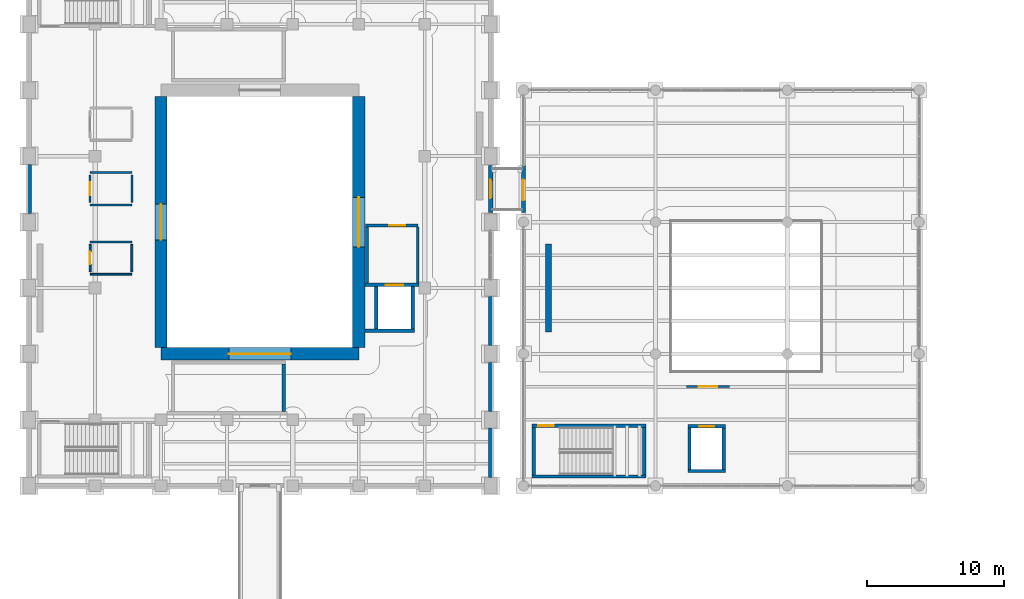
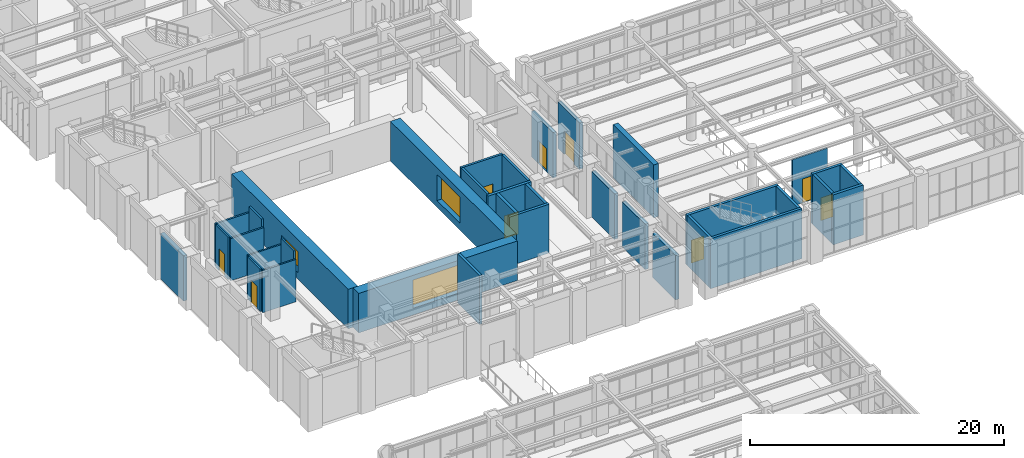
# One storey, part 141 of 174: 35 walls, 9 doors, 3 windows, 12 openings.
"""IFC4 building model written with IfcOpenShell, lengths in metres."""

from ifc_helpers import new_model, si_unit, direction, frame, frame_2d, origin, place, context, subcontext, project, spatial, rectangle, extrude, material, layer, layer_set, type_object, element, fill, save


model = new_model("IFC4")

# Units and contexts
model_context = context("Model", 3, precision=1e-05, world=origin(), true_north=direction((0.0, 1.0)))
body_context = subcontext(model_context, "Body", "Model", "MODEL_VIEW")
ifc_project = project(units=[si_unit("LENGTHUNIT", "METRE"), si_unit("AREAUNIT", "SQUARE_METRE"), si_unit("VOLUMEUNIT", "CUBIC_METRE"), si_unit("PLANEANGLEUNIT", "RADIAN"), si_unit("MASSUNIT", "GRAM", prefix="KILO")], contexts=[model_context])

# Site, building, storey
site_placement = place(None, origin())
site = spatial("IfcSite", under=ifc_project, at=site_placement, CompositionType="ELEMENT")
building_placement = place(site_placement, origin())
building = spatial("IfcBuilding", under=site, at=building_placement, Name="Mavantir Sound Aquarium", CompositionType="ELEMENT")
storey_placement = place(building_placement, frame((0.0, 0.0, 5.39990234375)))
storey = spatial("IfcBuildingStorey", under=building, at=storey_placement, Name="L01", CompositionType="ELEMENT", Elevation=5.39990234375)

# Wall, opening, door
ifc_material_1 = material(Name="Coral-Buff Architectural Precast Concrete C40/50", Category="concrete")
ifc_layer_1 = layer(ifc_material_1, 0.31005859375, Name="Coral-Buff Architectural Precast Concrete C40/50")
ifc_layer_set_1 = layer_set([ifc_layer_1], Name="Coral-Buff Architectural Precast Concrete C40/50")
wall_type_1 = type_object("IfcWallType", Name="EW-CORAL-310", PredefinedType="SOLIDWALL", material=ifc_layer_set_1)
wall_1_placement = place(storey_placement, frame((33.60009765625, 60.699951171875, 0.0), z_axis=(0.0, 0.0, 1.0), x_axis=(0.0, 1.0, 0.0)))
wall_1 = element("IfcWall", 1, at=wall_1_placement, inside=storey, type_object=wall_type_1, Name="L01 bridge portal wall 1", PredefinedType="SOLIDWALL", context=body_context, shape_type="SweptSolid", body=[
    extrude(rectangle(XDim=3.400146484375, YDim=0.31005859375, at=frame_2d((1.7001953125, 0.0))), origin(), (0.0, 0.0, 1.0), 4.358154296875),
])
opening_1_placement = place(wall_1_placement, frame((2.3701171875, 0.0, 0.0), z_axis=(0.0, 0.0, 1.0), x_axis=(-1.0, 0.0, 0.0)))
opening_1 = element("IfcOpeningElement", 2, at=opening_1_placement, cuts=wall_1, Name="Opening ETD-02", PredefinedType="OPENING", context=body_context, shape_type="SweptSolid", body=[
    extrude(rectangle(XDim=1.35009765625, YDim=2.199951171875, at=frame_2d((0.675048828125, 1.10009765625))), frame((0.0, 0.1650390625, 0.0), z_axis=(0.0, -1.0, 0.0), x_axis=(1.0, 0.0, 0.0)), (0.0, 0.0, 1.0), 0.330078125),
])
ifc_material_2 = material(Name="Marine-Grade Anodised Aluminium and Laminated Glass", Category="aluminium")
door_type_1 = type_object("IfcDoorType", Name="DR-TER-135", OperationType="NOTDEFINED", PredefinedType="DOOR", material=ifc_material_2)
door_1_placement = place(opening_1_placement, origin())
door_1 = element("IfcDoor", 3, at=door_1_placement, inside=storey, type_object=door_type_1, Name="L01 bridge access door 1", OperationType="SINGLE_SWING_RIGHT", OverallHeight=2.199951171875, OverallWidth=1.35009765625, PredefinedType="DOOR", context=body_context, shape_type="SweptSolid", body=[
    extrude(rectangle(XDim=1.35009765625, YDim=2.199951171875, at=frame_2d((0.675048828125, 1.10009765625))), frame((0.0, 0.02490234375, 0.0), z_axis=(0.0, -1.0, 0.0), x_axis=(1.0, 0.0, 0.0)), (0.0, 0.0, 1.0), 0.050048828125),
])
fill(opening_1, door_1)

wall_2_placement = place(storey_placement, frame((36.0, 64.10009765625, 0.0), z_axis=(0.0, 0.0, 1.0), x_axis=(0.0, -1.0, 0.0)))
wall_2 = element("IfcWall", 4, at=wall_2_placement, inside=storey, type_object=wall_type_1, Name="L01 bridge portal wall 2", PredefinedType="SOLIDWALL", context=body_context, shape_type="SweptSolid", body=[
    extrude(rectangle(XDim=3.400146484375, YDim=0.31005859375, at=frame_2d((1.7001953125, 0.0))), origin(), (0.0, 0.0, 1.0), 4.43798828125),
])
opening_2_placement = place(wall_2_placement, frame((2.52001953125, 0.0, 0.0), z_axis=(0.0, 0.0, 1.0), x_axis=(-1.0, 0.0, 0.0)))
opening_2 = element("IfcOpeningElement", 5, at=opening_2_placement, cuts=wall_2, Name="Opening ETD-01", PredefinedType="OPENING", context=body_context, shape_type="SweptSolid", body=[
    extrude(rectangle(XDim=1.5, YDim=2.25, at=frame_2d((0.75, 1.125))), frame((0.0, 0.1650390625, 0.0), z_axis=(0.0, -1.0, 0.0), x_axis=(1.0, 0.0, 0.0)), (0.0, 0.0, 1.0), 0.330078125),
])
door_type_2 = type_object("IfcDoorType", Name="DR-TER-150", OperationType="NOTDEFINED", PredefinedType="DOOR", material=ifc_material_2)
door_2_placement = place(opening_2_placement, origin())
door_2 = element("IfcDoor", 6, at=door_2_placement, inside=storey, type_object=door_type_2, Name="L01 bridge access door 2", OperationType="SINGLE_SWING_LEFT", OverallHeight=2.25, OverallWidth=1.5, PredefinedType="DOOR", context=body_context, shape_type="SweptSolid", body=[
    extrude(rectangle(XDim=1.5, YDim=2.25, at=frame_2d((0.75, 1.125))), frame((0.0, 0.02490234375, 0.0), z_axis=(0.0, -1.0, 0.0), x_axis=(1.0, 0.0, 0.0)), (0.0, 0.0, 1.0), 0.050048828125),
])
fill(opening_2, door_2)

# Walls
ifc_layer_2 = layer(ifc_material_1, 0.340087890625, Name="Coral-Buff Architectural Precast Concrete C40/50")
ifc_layer_set_2 = layer_set([ifc_layer_2], Name="Coral-Buff Architectural Precast Concrete C40/50")
wall_type_2 = type_object("IfcWallType", Name="EW-CORAL-340", PredefinedType="SOLIDWALL", material=ifc_layer_set_2)
wall_3_placement = place(storey_placement, frame((33.60009765625, 41.407958984375, 0.0), z_axis=(0.0, 0.0, 1.0), x_axis=(0.0, 1.0, 0.0)))
element("IfcWall", 7, at=wall_3_placement, inside=storey, type_object=wall_type_2, Name="L01 exterior facade wall EW-01 138", PredefinedType="SOLIDWALL", context=body_context, shape_type="SweptSolid", body=[
    extrude(rectangle(XDim=3.583984375, YDim=0.340087890625, at=frame_2d((1.7919921875, 0.0))), origin(), (0.0, 0.0, 1.0), 4.2490234375),
])
for number, where, z_axis, x_axis, name in (
    (8, (33.60009765625, 46.2080078125, 0.0), (0.0, 0.0, 1.0), (0.0, 1.0, 0.0), "L01 exterior facade wall EW-01 139"),
    (9, (33.60009765625, 51.008056640625, 0.0), (0.0, 0.0, 1.0), (0.0, 1.0, 0.0), "L01 exterior facade wall EW-01 140"),
    (10, (0.0, 64.19189453125, 0.0), (0.0, 0.0, 1.0), (0.0, -1.0, 0.0), "L01 exterior facade wall EW-01 155"),
):
    element("IfcWall", number, at=place(storey_placement, frame(where, z_axis=z_axis, x_axis=x_axis)), inside=storey, type_object=wall_type_2, Name=name, PredefinedType="SOLIDWALL", context=body_context, shape_type="SweptSolid", body=[
        extrude(rectangle(XDim=3.583984375, YDim=0.340087890625, at=frame_2d((1.7919921875, 0.0))), origin(), (0.0, 0.0, 1.0), 4.358154296875),
    ])

# Wall, opening, door
ifc_material_3 = material(Name="Concrete C40/50", Category="concrete")
ifc_layer_3 = layer(ifc_material_3, 0.199951171875, Name="Concrete C40/50")
ifc_layer_set_3 = layer_set([ifc_layer_3], Name="Concrete C40/50")
wall_type_3 = type_object("IfcWallType", Name="IW-FFL-200", PredefinedType="PARTITIONING", material=ifc_layer_set_3)
wall_4_placement = place(storey_placement, frame((24.5, 59.75, 0.0), z_axis=(0.0, 0.0, 1.0), x_axis=(1.0, 0.0, 0.0)))
wall_4 = element("IfcWall", 11, at=wall_4_placement, inside=storey, type_object=wall_type_3, Name="L01 firefighting lift lobby LC1 wall N", PredefinedType="PARTITIONING", context=body_context, shape_type="SweptSolid", body=[
    extrude(rectangle(XDim=3.800048828125, YDim=0.199951171875, at=frame_2d((1.89990234375, 0.0))), origin(), (0.0, 0.0, 1.0), 4.739990234375),
])
opening_3_placement = place(wall_4_placement, frame((1.699951171875, 0.0, 0.0)))
opening_3 = element("IfcOpeningElement", 12, at=opening_3_placement, cuts=wall_4, Name="Opening FD-01", PredefinedType="OPENING", context=body_context, shape_type="SweptSolid", body=[
    extrude(rectangle(XDim=1.199951171875, YDim=2.199951171875, at=frame_2d((0.60009765625, 1.10009765625))), frame((0.0, 0.10986328125, 0.0), z_axis=(0.0, -1.0, 0.0), x_axis=(1.0, 0.0, 0.0)), (0.0, 0.0, 1.0), 0.219970703125),
])
ifc_material_4 = material(Name="Fire-Rated Steel Lobby Door Leaf", Category="steel")
door_type_3 = type_object("IfcDoorType", Name="DR-FFL-120", OperationType="NOTDEFINED", PredefinedType="DOOR", material=ifc_material_4)
door_3_placement = place(opening_3_placement, origin())
door_3 = element("IfcDoor", 13, at=door_3_placement, inside=storey, type_object=door_type_3, Name="L01 firefighting lobby LC1 accommodation door", OperationType="SINGLE_SWING_RIGHT", OverallHeight=2.199951171875, OverallWidth=1.199951171875, PredefinedType="DOOR", context=body_context, shape_type="SweptSolid", body=[
    extrude(rectangle(XDim=1.199951171875, YDim=2.199951171875, at=frame_2d((0.60009765625, 1.10009765625))), frame((0.0, 0.02490234375, 0.0), z_axis=(0.0, -1.0, 0.0), x_axis=(1.0, 0.0, 0.0)), (0.0, 0.0, 1.0), 0.050048828125),
])
fill(opening_3, door_3)

# Walls
for number, where, z_axis, x_axis, name in (
    (14, (24.60009765625, 55.550048828125, 0.0), (0.0, 0.0, 1.0), (0.0, 1.0, 0.0), "L01 firefighting lift lobby LC1 wall W"),
    (15, (28.300048828125, 55.550048828125, 0.0), (0.0, 0.0, 1.0), (0.0, 1.0, 0.0), "L01 firefighting lift lobby LC1 wall E"),
):
    element("IfcWall", number, at=place(storey_placement, frame(where, z_axis=z_axis, x_axis=x_axis)), inside=storey, type_object=wall_type_3, Name=name, PredefinedType="PARTITIONING", context=body_context, shape_type="SweptSolid", body=[
        extrude(rectangle(XDim=4.099853515625, YDim=0.199951171875, at=frame_2d((2.0498046875, 0.0))), origin(), (0.0, 0.0, 1.0), 4.739990234375),
    ])
ifc_material_5 = material(Name="Moisture-Resistant Marine Gypsum Partition", Category="gypsum")
ifc_layer_4 = layer(ifc_material_5, 0.139892578125, Name="Moisture-Resistant Marine Gypsum Partition")
ifc_layer_set_4 = layer_set([ifc_layer_4], Name="Moisture-Resistant Marine Gypsum Partition")
wall_type_4 = type_object("IfcWallType", Name="IW-PART-140", PredefinedType="PARTITIONING", material=ifc_layer_set_4)
for number, where, z_axis, x_axis, name in (
    (16, (4.43994140625, 58.550048828125, 0.0), (0.0, 0.0, 1.0), (1.0, 0.0, 0.0), "L01 L01 Mens WC partition N"),
    (17, (4.43994140625, 56.199951171875, 0.0), (0.0, 0.0, 1.0), (1.0, 0.0, 0.0), "L01 L01 Mens WC partition S"),
):
    element("IfcWall", number, at=place(storey_placement, frame(where, z_axis=z_axis, x_axis=x_axis)), inside=storey, type_object=wall_type_4, Name=name, PredefinedType="PARTITIONING", context=body_context, shape_type="SweptSolid", body=[
        extrude(rectangle(XDim=3.0400390625, YDim=0.139892578125, at=frame_2d((1.52001953125, 0.0))), origin(), (0.0, 0.0, 1.0), 4.05517578125),
    ])

# Wall, opening, door
wall_5_placement = place(storey_placement, frame((4.43994140625, 56.3798828125, 0.0), z_axis=(0.0, 0.0, 1.0), x_axis=(0.0, 1.0, 0.0)))
wall_5 = element("IfcWall", 18, at=wall_5_placement, inside=storey, type_object=wall_type_4, Name="L01 L01 Mens WC partition W", PredefinedType="PARTITIONING", context=body_context, shape_type="SweptSolid", body=[
    extrude(rectangle(XDim=1.990234375, YDim=0.139892578125, at=frame_2d((0.9951171875, 0.0))), origin(), (0.0, 0.0, 1.0), 4.05517578125),
])
opening_4_placement = place(wall_5_placement, frame((0.534912109375, 0.0, 0.0)))
opening_4 = element("IfcOpeningElement", 19, at=opening_4_placement, cuts=wall_5, Name="Opening ID-01", PredefinedType="OPENING", context=body_context, shape_type="SweptSolid", body=[
    extrude(rectangle(XDim=0.919921875, YDim=2.1201171875, at=frame_2d((0.4599609375, 1.06005859375))), frame((0.0, 0.080078125, 0.0), z_axis=(0.0, -1.0, 0.0), x_axis=(1.0, 0.0, 0.0)), (0.0, 0.0, 1.0), 0.159912109375),
])
ifc_material_6 = material(Name="Solid-Core Marine Hardwood and Vision-Panel Door", Category="wood")
door_type_4 = type_object("IfcDoorType", Name="DR-INT-01", OperationType="NOTDEFINED", PredefinedType="DOOR", material=ifc_material_6)
door_4_placement = place(opening_4_placement, origin())
door_4 = element("IfcDoor", 20, at=door_4_placement, inside=storey, type_object=door_type_4, Name="L01 Mens WC entrance door", OperationType="SINGLE_SWING_RIGHT", OverallHeight=2.1201171875, OverallWidth=0.919921875, PredefinedType="DOOR", context=body_context, shape_type="SweptSolid", body=[
    extrude(rectangle(XDim=0.919921875, YDim=2.1201171875, at=frame_2d((0.4599609375, 1.06005859375))), frame((0.0, 0.02490234375, 0.0), z_axis=(0.0, -1.0, 0.0), x_axis=(1.0, 0.0, 0.0)), (0.0, 0.0, 1.0), 0.050048828125),
])
fill(opening_4, door_4)

# Wall
wall_6_placement = place(storey_placement, frame((7.47998046875, 56.3798828125, 0.0), z_axis=(0.0, 0.0, 1.0), x_axis=(0.0, 1.0, 0.0)))
element("IfcWall", 21, at=wall_6_placement, inside=storey, type_object=wall_type_4, Name="L01 L01 Mens WC partition E", PredefinedType="PARTITIONING", context=body_context, shape_type="SweptSolid", body=[
    extrude(rectangle(XDim=1.990234375, YDim=0.139892578125, at=frame_2d((0.9951171875, 0.0))), origin(), (0.0, 0.0, 1.0), 4.739990234375),
])

# Wall, opening, door
wall_7_placement = place(storey_placement, frame((47.85009765625, 48.02490234375, 0.0), z_axis=(0.0, 0.0, 1.0), x_axis=(1.0, 0.0, 0.0)))
wall_7 = element("IfcWall", 22, at=wall_7_placement, inside=storey, type_object=wall_type_4, Name="L01 Pelagic Viewing Tunnel Upper Canyon Overlook entry partition", PredefinedType="PARTITIONING", context=body_context, shape_type="SweptSolid", body=[
    extrude(rectangle(XDim=3.14990234375, YDim=0.139892578125, at=frame_2d((1.574951171875, 0.0))), origin(), (0.0, 0.0, 1.0), 4.4560546875),
])
opening_5_placement = place(wall_7_placement, frame((0.905029296875, 0.0, 0.0)))
opening_5 = element("IfcOpeningElement", 23, at=opening_5_placement, cuts=wall_7, Name="Opening ID-11", PredefinedType="OPENING", context=body_context, shape_type="SweptSolid", body=[
    extrude(rectangle(XDim=1.340087890625, YDim=2.280029296875, at=frame_2d((0.669921875, 1.14013671875))), frame((0.0, 0.080078125, 0.0), z_axis=(0.0, -1.0, 0.0), x_axis=(1.0, 0.0, 0.0)), (0.0, 0.0, 1.0), 0.159912109375),
])
door_type_5 = type_object("IfcDoorType", Name="DR-INT-11", OperationType="NOTDEFINED", PredefinedType="DOOR", material=ifc_material_6)
door_5_placement = place(opening_5_placement, origin())
door_5 = element("IfcDoor", 24, at=door_5_placement, inside=storey, type_object=door_type_5, Name="Pelagic Viewing Tunnel Upper Canyon Overlook door", OperationType="SINGLE_SWING_LEFT", OverallHeight=2.280029296875, OverallWidth=1.340087890625, PredefinedType="DOOR", context=body_context, shape_type="SweptSolid", body=[
    extrude(rectangle(XDim=1.340087890625, YDim=2.280029296875, at=frame_2d((0.669921875, 1.14013671875))), frame((0.0, 0.02490234375, 0.0), z_axis=(0.0, -1.0, 0.0), x_axis=(1.0, 0.0, 0.0)), (0.0, 0.0, 1.0), 0.050048828125),
])
fill(opening_5, door_5)

# Walls
ifc_material_7 = material(Name="Acoustic Metal-Stud Gypsum Partition", Category="gypsum")
ifc_layer_5 = layer(ifc_material_7, 0.159912109375, Name="Acoustic Metal-Stud Gypsum Partition")
ifc_layer_set_5 = layer_set([ifc_layer_5], Name="Acoustic Metal-Stud Gypsum Partition")
wall_type_5 = type_object("IfcWallType", Name="IW-PART-160", PredefinedType="PARTITIONING", material=ifc_layer_set_5)
for number, where, z_axis, x_axis, name in (
    (25, (4.43994140625, 63.60009765625, 0.0), (0.0, 0.0, 1.0), (1.0, 0.0, 0.0), "L01 L01 Womens WC partition N"),
    (26, (4.43994140625, 61.25, 0.0), (0.0, 0.0, 1.0), (1.0, 0.0, 0.0), "L01 L01 Womens WC partition S"),
):
    element("IfcWall", number, at=place(storey_placement, frame(where, z_axis=z_axis, x_axis=x_axis)), inside=storey, type_object=wall_type_5, Name=name, PredefinedType="PARTITIONING", context=body_context, shape_type="SweptSolid", body=[
        extrude(rectangle(XDim=3.0400390625, YDim=0.159912109375, at=frame_2d((1.52001953125, 0.0))), origin(), (0.0, 0.0, 1.0), 4.05517578125),
    ])

# Wall, opening, door
wall_8_placement = place(storey_placement, frame((4.43994140625, 61.429931640625, 0.0), z_axis=(0.0, 0.0, 1.0), x_axis=(0.0, 1.0, 0.0)))
wall_8 = element("IfcWall", 27, at=wall_8_placement, inside=storey, type_object=wall_type_5, Name="L01 L01 Womens WC partition W", PredefinedType="PARTITIONING", context=body_context, shape_type="SweptSolid", body=[
    extrude(rectangle(XDim=1.989990234375, YDim=0.159912109375, at=frame_2d((0.9951171875, 0.0))), origin(), (0.0, 0.0, 1.0), 4.05517578125),
])
opening_6_placement = place(wall_8_placement, frame((0.534912109375, 0.0, 0.0)))
opening_6 = element("IfcOpeningElement", 28, at=opening_6_placement, cuts=wall_8, Name="Opening ID-01", PredefinedType="OPENING", context=body_context, shape_type="SweptSolid", body=[
    extrude(rectangle(XDim=0.919921875, YDim=2.1201171875, at=frame_2d((0.4599609375, 1.06005859375))), frame((0.0, 0.08984375, 0.0), z_axis=(0.0, -1.0, 0.0), x_axis=(1.0, 0.0, 0.0)), (0.0, 0.0, 1.0), 0.179931640625),
])
door_6_placement = place(opening_6_placement, origin())
door_6 = element("IfcDoor", 29, at=door_6_placement, inside=storey, type_object=door_type_4, Name="L01 Womens WC entrance door", OperationType="SINGLE_SWING_LEFT", OverallHeight=2.1201171875, OverallWidth=0.919921875, PredefinedType="DOOR", context=body_context, shape_type="SweptSolid", body=[
    extrude(rectangle(XDim=0.919921875, YDim=2.1201171875, at=frame_2d((0.4599609375, 1.06005859375))), frame((0.0, 0.02490234375, 0.0), z_axis=(0.0, -1.0, 0.0), x_axis=(1.0, 0.0, 0.0)), (0.0, 0.0, 1.0), 0.050048828125),
])
fill(opening_6, door_6)

# Walls
wall_9_placement = place(storey_placement, frame((7.47998046875, 61.429931640625, 0.0), z_axis=(0.0, 0.0, 1.0), x_axis=(0.0, 1.0, 0.0)))
element("IfcWall", 30, at=wall_9_placement, inside=storey, type_object=wall_type_5, Name="L01 L01 Womens WC partition E", PredefinedType="PARTITIONING", context=body_context, shape_type="SweptSolid", body=[
    extrude(rectangle(XDim=1.989990234375, YDim=0.159912109375, at=frame_2d((0.9951171875, 0.0))), origin(), (0.0, 0.0, 1.0), 4.739990234375),
])
ifc_layer_6 = layer(ifc_material_3, 0.25, Name="Concrete C40/50")
ifc_layer_set_6 = layer_set([ifc_layer_6], Name="Concrete C40/50")
wall_type_6 = type_object("IfcWallType", Name="IW-SHAFT-250", PredefinedType="SHEAR", material=ifc_layer_set_6)
wall_10_placement = place(storey_placement, frame((18.52490234375, 46.199951171875, 0.0), z_axis=(0.0, 0.0, 1.0), x_axis=(0.0, 1.0, 0.0)))
element("IfcWall", 31, at=wall_10_placement, inside=storey, type_object=wall_type_6, Name="L01 stair ST9 shaft wall E", PredefinedType="SHEAR", context=body_context, shape_type="SweptSolid", body=[
    extrude(rectangle(XDim=3.449951171875, YDim=0.25, at=frame_2d((1.72509765625, 0.0))), origin(), (0.0, 0.0, 1.0), 4.7001953125),
])
wall_11_placement = place(storey_placement, frame((36.60009765625, 41.47509765625, 0.0), z_axis=(0.0, 0.0, 1.0), x_axis=(1.0, 0.0, 0.0)))
element("IfcWall", 32, at=wall_11_placement, inside=storey, type_object=wall_type_6, Name="L01 stair ST8 shaft wall S", PredefinedType="SHEAR", context=body_context, shape_type="SweptSolid", body=[
    extrude(rectangle(XDim=8.2998046875, YDim=0.25, at=frame_2d((4.14990234375, 0.0))), origin(), (0.0, 0.0, 1.0), 4.800048828125),
])

# Wall, opening, door
wall_12_placement = place(storey_placement, frame((44.89990234375, 45.175048828125, 0.0), z_axis=(0.0, 0.0, 1.0), x_axis=(-1.0, 0.0, 0.0)))
wall_12 = element("IfcWall", 33, at=wall_12_placement, inside=storey, type_object=wall_type_6, Name="L01 stair ST8 shaft wall N", PredefinedType="SHEAR", context=body_context, shape_type="SweptSolid", body=[
    extrude(rectangle(XDim=8.2998046875, YDim=0.25, at=frame_2d((4.14990234375, 0.0))), origin(), (0.0, 0.0, 1.0), 4.800048828125),
])
opening_7_placement = place(wall_12_placement, frame((7.849853515625, 0.0, 0.0), z_axis=(0.0, 0.0, 1.0), x_axis=(-1.0, 0.0, 0.0)))
opening_7 = element("IfcOpeningElement", 34, at=opening_7_placement, cuts=wall_12, Name="Opening SD-02", PredefinedType="OPENING", context=body_context, shape_type="SweptSolid", body=[
    extrude(rectangle(XDim=1.14990234375, YDim=2.199951171875, at=frame_2d((0.574951171875, 1.10009765625))), frame((0.0, 0.135009765625, 0.0), z_axis=(0.0, -1.0, 0.0), x_axis=(1.0, 0.0, 0.0)), (0.0, 0.0, 1.0), 0.27001953125),
])
ifc_material_8 = material(Name="Fire-Rated Steel Acoustic Door Leaf", Category="steel")
door_type_6 = type_object("IfcDoorType", Name="DR-ST-115", OperationType="NOTDEFINED", PredefinedType="DOOR", material=ifc_material_8)
door_7_placement = place(opening_7_placement, origin())
door_7 = element("IfcDoor", 35, at=door_7_placement, inside=storey, type_object=door_type_6, Name="L01 protected exit stair ST8 door", OperationType="SINGLE_SWING_RIGHT", OverallHeight=2.199951171875, OverallWidth=1.14990234375, PredefinedType="DOOR", context=body_context, shape_type="SweptSolid", body=[
    extrude(rectangle(XDim=1.14990234375, YDim=2.199951171875, at=frame_2d((0.574951171875, 1.10009765625))), frame((0.0, 0.02490234375, 0.0), z_axis=(0.0, -1.0, 0.0), x_axis=(1.0, 0.0, 0.0)), (0.0, 0.0, 1.0), 0.050048828125),
])
fill(opening_7, door_7)

# Walls
for number, where, z_axis, x_axis, name in (
    (36, (36.72509765625, 45.050048828125, 0.0), (0.0, 0.0, 1.0), (0.0, -1.0, 0.0), "L01 stair ST8 shaft wall W"),
    (37, (44.77490234375, 41.60009765625, 0.0), (0.0, 0.0, 1.0), (0.0, 1.0, 0.0), "L01 stair ST8 shaft wall E"),
):
    element("IfcWall", number, at=place(storey_placement, frame(where, z_axis=z_axis, x_axis=x_axis)), inside=storey, type_object=wall_type_6, Name=name, PredefinedType="SHEAR", context=body_context, shape_type="SweptSolid", body=[
        extrude(rectangle(XDim=3.449951171875, YDim=0.25, at=frame_2d((1.72509765625, 0.0))), origin(), (0.0, 0.0, 1.0), 4.800048828125),
    ])
wall_13_placement = place(storey_placement, frame((24.449951171875, 52.074951171875, 0.0), z_axis=(0.0, 0.0, 1.0), x_axis=(1.0, 0.0, 0.0)))
element("IfcWall", 38, at=wall_13_placement, inside=storey, type_object=wall_type_6, Name="L01 lift LC1 shaft wall S", PredefinedType="SHEAR", context=body_context, shape_type="SweptSolid", body=[
    extrude(rectangle(XDim=3.60009765625, YDim=0.25, at=frame_2d((1.800048828125, 0.0))), origin(), (0.0, 0.0, 1.0), 4.7001953125),
])

# Wall, opening, door
wall_14_placement = place(storey_placement, frame((24.449951171875, 55.425048828125, 0.0), z_axis=(0.0, 0.0, 1.0), x_axis=(1.0, 0.0, 0.0)))
wall_14 = element("IfcWall", 39, at=wall_14_placement, inside=storey, type_object=wall_type_6, Name="L01 lift LC1 shaft wall N", PredefinedType="SHEAR", context=body_context, shape_type="SweptSolid", body=[
    extrude(rectangle(XDim=3.925048828125, YDim=0.25, at=frame_2d((1.96240234375, 0.0))), origin(), (0.0, 0.0, 1.0), 4.7001953125),
])
opening_8_placement = place(wall_14_placement, frame((1.5, 0.0, 0.0)))
opening_8 = element("IfcOpeningElement", 40, at=opening_8_placement, cuts=wall_14, Name="Opening LD-01", PredefinedType="OPENING", context=body_context, shape_type="SweptSolid", body=[
    extrude(rectangle(XDim=1.300048828125, YDim=2.199951171875, at=frame_2d((0.64990234375, 1.10009765625))), frame((0.0, 0.135009765625, 0.0), z_axis=(0.0, -1.0, 0.0), x_axis=(1.0, 0.0, 0.0)), (0.0, 0.0, 1.0), 0.27001953125),
])
ifc_material_9 = material(Name="Stainless Steel 316 Sliding Lift Landing Door", Category="steel")
door_type_7 = type_object("IfcDoorType", Name="DR-LD-130", OperationType="NOTDEFINED", PredefinedType="DOOR", material=ifc_material_9)
door_8_placement = place(opening_8_placement, origin())
door_8 = element("IfcDoor", 41, at=door_8_placement, inside=storey, type_object=door_type_7, Name="Lift LC1 sliding landing door (L01)", OperationType="DOUBLE_DOOR_SLIDING", OverallHeight=2.199951171875, OverallWidth=1.300048828125, PredefinedType="DOOR", context=body_context, shape_type="SweptSolid", body=[
    extrude(rectangle(XDim=1.300048828125, YDim=2.199951171875, at=frame_2d((0.64990234375, 1.10009765625))), frame((0.0, 0.02490234375, 0.0), z_axis=(0.0, -1.0, 0.0), x_axis=(1.0, 0.0, 0.0)), (0.0, 0.0, 1.0), 0.050048828125),
])
fill(opening_8, door_8)

# Walls
for number, where, z_axis, x_axis, name in (
    (42, (25.27490234375, 52.199951171875, 0.0), (0.0, 0.0, 1.0), (0.0, 1.0, 0.0), "L01 lift LC1 shaft wall W"),
    (43, (27.925048828125, 52.199951171875, 0.0), (0.0, 0.0, 1.0), (0.0, 1.0, 0.0), "L01 lift LC1 shaft wall E"),
):
    element("IfcWall", number, at=place(storey_placement, frame(where, z_axis=z_axis, x_axis=x_axis)), inside=storey, type_object=wall_type_6, Name=name, PredefinedType="SHEAR", context=body_context, shape_type="SweptSolid", body=[
        extrude(rectangle(XDim=3.10009765625, YDim=0.25, at=frame_2d((1.550048828125, 0.0))), origin(), (0.0, 0.0, 1.0), 4.7001953125),
    ])
wall_15_placement = place(storey_placement, frame((47.949951171875, 41.875, 0.0), z_axis=(0.0, 0.0, 1.0), x_axis=(1.0, 0.0, 0.0)))
element("IfcWall", 44, at=wall_15_placement, inside=storey, type_object=wall_type_6, Name="L01 lift LC5 shaft wall S", PredefinedType="SHEAR", context=body_context, shape_type="SweptSolid", body=[
    extrude(rectangle(XDim=2.75, YDim=0.25, at=frame_2d((1.375, 0.0))), origin(), (0.0, 0.0, 1.0), 4.800048828125),
])

# Wall, opening, door
wall_16_placement = place(storey_placement, frame((47.949951171875, 45.125, 0.0), z_axis=(0.0, 0.0, 1.0), x_axis=(1.0, 0.0, 0.0)))
wall_16 = element("IfcWall", 45, at=wall_16_placement, inside=storey, type_object=wall_type_6, Name="L01 lift LC5 shaft wall N", PredefinedType="SHEAR", context=body_context, shape_type="SweptSolid", body=[
    extrude(rectangle(XDim=2.75, YDim=0.25, at=frame_2d((1.375, 0.0))), origin(), (0.0, 0.0, 1.0), 4.800048828125),
])
opening_9_placement = place(wall_16_placement, frame((0.824951171875, 0.0, 0.0)))
opening_9 = element("IfcOpeningElement", 46, at=opening_9_placement, cuts=wall_16, Name="Opening LD-02", PredefinedType="OPENING", context=body_context, shape_type="SweptSolid", body=[
    extrude(rectangle(XDim=1.10009765625, YDim=2.199951171875, at=frame_2d((0.550048828125, 1.10009765625))), frame((0.0, 0.135009765625, 0.0), z_axis=(0.0, -1.0, 0.0), x_axis=(1.0, 0.0, 0.0)), (0.0, 0.0, 1.0), 0.27001953125),
])
door_type_8 = type_object("IfcDoorType", Name="DR-LD-110", OperationType="NOTDEFINED", PredefinedType="DOOR", material=ifc_material_9)
door_9_placement = place(opening_9_placement, origin())
door_9 = element("IfcDoor", 47, at=door_9_placement, inside=storey, type_object=door_type_8, Name="Lift LC5 sliding landing door (L01)", OperationType="DOUBLE_DOOR_SLIDING", OverallHeight=2.199951171875, OverallWidth=1.10009765625, PredefinedType="DOOR", context=body_context, shape_type="SweptSolid", body=[
    extrude(rectangle(XDim=1.10009765625, YDim=2.199951171875, at=frame_2d((0.550048828125, 1.10009765625))), frame((0.0, 0.02490234375, 0.0), z_axis=(0.0, -1.0, 0.0), x_axis=(1.0, 0.0, 0.0)), (0.0, 0.0, 1.0), 0.050048828125),
])
fill(opening_9, door_9)

# Walls
for number, where, z_axis, x_axis, name in (
    (48, (48.074951171875, 42.0, 0.0), (0.0, 0.0, 1.0), (0.0, 1.0, 0.0), "L01 lift LC5 shaft wall W"),
    (49, (50.574951171875, 42.0, 0.0), (0.0, 0.0, 1.0), (0.0, 1.0, 0.0), "L01 lift LC5 shaft wall E"),
):
    element("IfcWall", number, at=place(storey_placement, frame(where, z_axis=z_axis, x_axis=x_axis)), inside=storey, type_object=wall_type_6, Name=name, PredefinedType="SHEAR", context=body_context, shape_type="SweptSolid", body=[
        extrude(rectangle(XDim=3.0, YDim=0.25, at=frame_2d((1.5, 0.0))), origin(), (0.0, 0.0, 1.0), 4.800048828125),
    ])
ifc_layer_7 = layer(ifc_material_3, 0.449951171875, Name="Concrete C40/50")
ifc_layer_set_7 = layer_set([ifc_layer_7], Name="Concrete C40/50")
wall_type_7 = type_object("IfcWallType", Name="SW-SHR-450", PredefinedType="SHEAR", material=ifc_layer_set_7)
wall_17_placement = place(storey_placement, frame((37.800048828125, 52.0, 0.0), z_axis=(0.0, 0.0, 1.0), x_axis=(0.0, 1.0, 0.0)))
element("IfcWall", 50, at=wall_17_placement, inside=storey, type_object=wall_type_7, Name="L01 special RC shear wall 16 (V2)", PredefinedType="SHEAR", context=body_context, shape_type="SweptSolid", body=[
    extrude(rectangle(XDim=6.39990234375, YDim=0.449951171875, at=frame_2d((3.199951171875, 0.0))), origin(), (0.0, 0.0, 1.0), 5.10009765625),
])

# Wall, opening, window
ifc_material_10 = material(Name="Concrete C45/55", Category="concrete")
ifc_layer_8 = layer(ifc_material_10, 0.89990234375, Name="Concrete C45/55")
ifc_layer_set_8 = layer_set([ifc_layer_8], Name="Concrete C45/55")
wall_type_8 = type_object("IfcWallType", Name="SW-TANK-900", PredefinedType="SOLIDWALL", material=ifc_layer_set_8)
wall_18_placement = place(storey_placement, frame((9.60009765625, 50.39990234375, 0.0), z_axis=(0.0, 0.0, 1.0), x_axis=(1.0, 0.0, 0.0)))
wall_18 = element("IfcWall", 51, at=wall_18_placement, inside=storey, type_object=wall_type_8, Name="L01 Pelagic Ocean Tank wall S", PredefinedType="SOLIDWALL", context=body_context, shape_type="SweptSolid", body=[
    extrude(rectangle(XDim=14.39990234375, YDim=0.89990234375, at=frame_2d((7.199951171875, 0.0))), origin(), (0.0, 0.0, 1.0), 3.800048828125),
])
opening_10_placement = place(wall_18_placement, frame((4.949951171875, 0.0, 0.64990234375)))
opening_10 = element("IfcOpeningElement", 52, at=opening_10_placement, cuts=wall_18, Name="Opening VW-05", PredefinedType="OPENING", context=body_context, shape_type="SweptSolid", body=[
    extrude(rectangle(XDim=4.5, YDim=2.699951171875, at=frame_2d((2.25, 1.35009765625))), frame((0.0, 0.4599609375, 0.0), z_axis=(0.0, -1.0, 0.0), x_axis=(1.0, 0.0, 0.0)), (0.0, 0.0, 1.0), 0.919921875),
])
ifc_material_11 = material(Name="Cast Acrylic PMMA Glazing", Category="glass")
window_type_1 = type_object("IfcWindowType", Name="WIN-VP-05", PartitioningType="SINGLE_PANEL", PredefinedType="WINDOW", material=ifc_material_11)
window_1_placement = place(opening_10_placement, origin())
window_1 = element("IfcWindow", 53, at=window_1_placement, inside=storey, type_object=window_type_1, Name="L01 Pelagic Ocean Tank cast-acrylic viewport 5", OverallHeight=2.699951171875, OverallWidth=4.5, PartitioningType="SINGLE_PANEL", PredefinedType="WINDOW", context=body_context, shape_type="SweptSolid", body=[
    extrude(rectangle(XDim=4.5, YDim=2.699951171875, at=frame_2d((2.25, 1.35009765625))), frame((0.0, 0.030029296875, 0.0), z_axis=(0.0, -1.0, 0.0), x_axis=(1.0, 0.0, 0.0)), (0.0, 0.0, 1.0), 0.06005859375),
])
fill(opening_10, window_1)

wall_19_placement = place(storey_placement, frame((24.0, 50.85009765625, 0.0), z_axis=(0.0, 0.0, 1.0), x_axis=(0.0, 1.0, 0.0)))
wall_19 = element("IfcWall", 54, at=wall_19_placement, inside=storey, type_object=wall_type_8, Name="L01 Pelagic Ocean Tank wall E", PredefinedType="SOLIDWALL", context=body_context, shape_type="SweptSolid", body=[
    extrude(rectangle(XDim=18.2998046875, YDim=0.89990234375, at=frame_2d((9.14990234375, 0.0))), origin(), (0.0, 0.0, 1.0), 3.800048828125),
])
opening_11_placement = place(wall_19_placement, frame((7.35009765625, 0.0, 0.64990234375)))
opening_11 = element("IfcOpeningElement", 55, at=opening_11_placement, cuts=wall_19, Name="Opening VW-06", PredefinedType="OPENING", context=body_context, shape_type="SweptSolid", body=[
    extrude(rectangle(XDim=3.60009765625, YDim=2.5, at=frame_2d((1.800048828125, 1.25))), frame((0.0, 0.4599609375, 0.0), z_axis=(0.0, -1.0, 0.0), x_axis=(1.0, 0.0, 0.0)), (0.0, 0.0, 1.0), 0.919921875),
])
window_type_2 = type_object("IfcWindowType", Name="WIN-VP-06", PartitioningType="SINGLE_PANEL", PredefinedType="WINDOW", material=ifc_material_11)
window_2_placement = place(opening_11_placement, origin())
window_2 = element("IfcWindow", 56, at=window_2_placement, inside=storey, type_object=window_type_2, Name="L01 Pelagic Ocean Tank cast-acrylic viewport 6", OverallHeight=2.5, OverallWidth=3.60009765625, PartitioningType="SINGLE_PANEL", PredefinedType="WINDOW", context=body_context, shape_type="SweptSolid", body=[
    extrude(rectangle(XDim=3.60009765625, YDim=2.5, at=frame_2d((1.800048828125, 1.25))), frame((0.0, 0.030029296875, 0.0), z_axis=(0.0, -1.0, 0.0), x_axis=(1.0, 0.0, 0.0)), (0.0, 0.0, 1.0), 0.06005859375),
])
fill(opening_11, window_2)

wall_20_placement = place(storey_placement, frame((9.60009765625, 69.14990234375, 0.0), z_axis=(0.0, 0.0, 1.0), x_axis=(0.0, -1.0, 0.0)))
wall_20 = element("IfcWall", 57, at=wall_20_placement, inside=storey, type_object=wall_type_8, Name="L01 Pelagic Ocean Tank wall W", PredefinedType="SOLIDWALL", context=body_context, shape_type="SweptSolid", body=[
    extrude(rectangle(XDim=18.2998046875, YDim=0.89990234375, at=frame_2d((9.14990234375, 0.0))), origin(), (0.0, 0.0, 1.0), 3.800048828125),
])
opening_12_placement = place(wall_20_placement, frame((7.85009765625, 0.0, 0.64990234375)))
opening_12 = element("IfcOpeningElement", 58, at=opening_12_placement, cuts=wall_20, Name="Opening VW-08", PredefinedType="OPENING", context=body_context, shape_type="SweptSolid", body=[
    extrude(rectangle(XDim=2.60009765625, YDim=2.0, at=frame_2d((1.300048828125, 1.0))), frame((0.0, 0.4599609375, 0.0), z_axis=(0.0, -1.0, 0.0), x_axis=(1.0, 0.0, 0.0)), (0.0, 0.0, 1.0), 0.919921875),
])
window_type_3 = type_object("IfcWindowType", Name="WIN-VP-08", PartitioningType="SINGLE_PANEL", PredefinedType="WINDOW", material=ifc_material_11)
window_3_placement = place(opening_12_placement, origin())
window_3 = element("IfcWindow", 59, at=window_3_placement, inside=storey, type_object=window_type_3, Name="L01 Pelagic Ocean Tank cast-acrylic viewport 8", OverallHeight=2.0, OverallWidth=2.60009765625, PartitioningType="SINGLE_PANEL", PredefinedType="WINDOW", context=body_context, shape_type="SweptSolid", body=[
    extrude(rectangle(XDim=2.60009765625, YDim=2.0, at=frame_2d((1.300048828125, 1.0))), frame((0.0, 0.030029296875, 0.0), z_axis=(0.0, -1.0, 0.0), x_axis=(1.0, 0.0, 0.0)), (0.0, 0.0, 1.0), 0.06005859375),
])
fill(opening_12, window_3)

save(model, "model.ifc")
